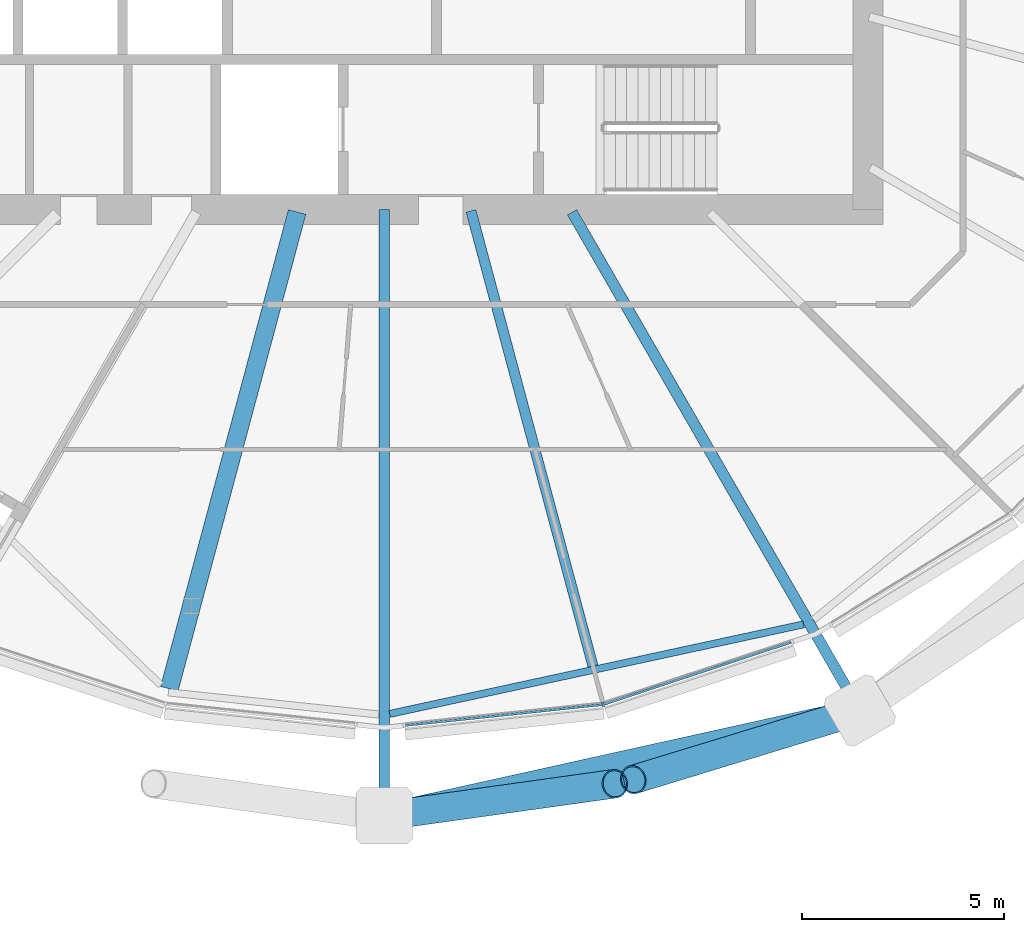
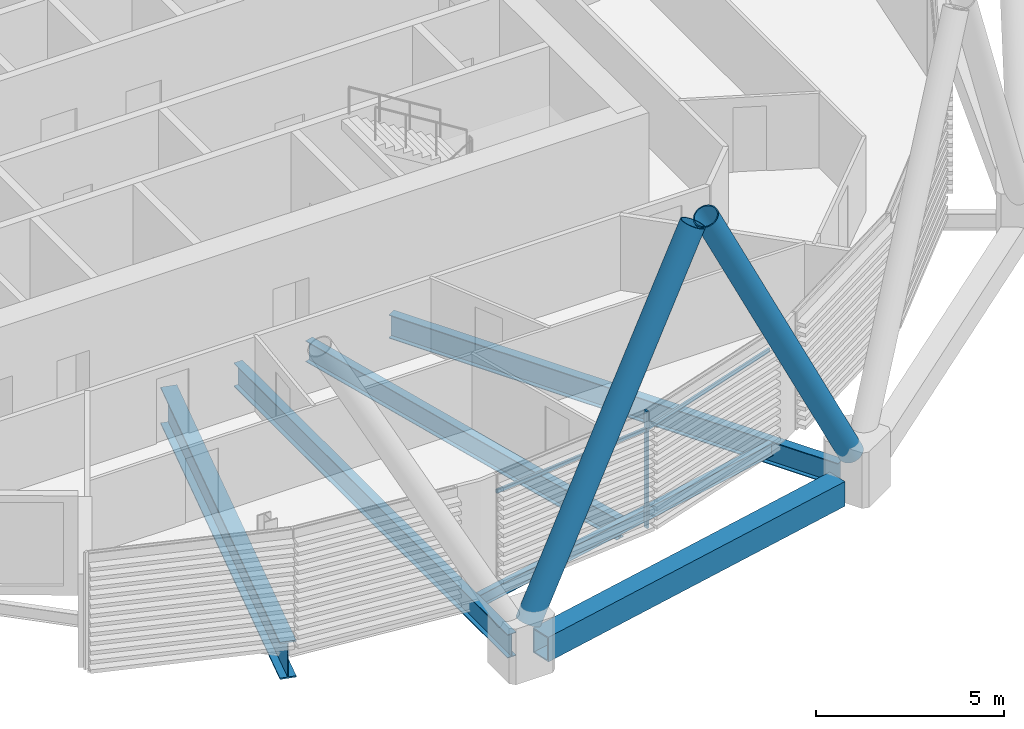
# One storey, part 4 of 38: 6 beams, 5 members, 1 element without a shape of its own.
"""IFC4 building model written with IfcOpenShell, lengths in metres."""

from ifc_helpers import new_model, si_unit, direction, frame, origin, origin_2d, place, context, subcontext, project, spatial, rectangle, hollow_rectangle, hollow_circle, i_section, extrude, material, material_profile, profile_set, type_object, element, aggregate, save


model = new_model("IFC4")

# Units and contexts
model_context = context("Model", 3, precision=1e-05, world=origin(), true_north=direction((0.0, 1.0)))
body_context = subcontext(model_context, "Body", "Model", "MODEL_VIEW")
ifc_project = project(units=[si_unit("LENGTHUNIT", "METRE"), si_unit("AREAUNIT", "SQUARE_METRE"), si_unit("VOLUMEUNIT", "CUBIC_METRE"), si_unit("PLANEANGLEUNIT", "RADIAN"), si_unit("MASSUNIT", "GRAM", prefix="KILO")], contexts=[model_context])

# Site, building, storey
site_placement = place(None, origin())
site = spatial("IfcSite", under=ifc_project, at=site_placement, CompositionType="ELEMENT")
building_placement = place(site_placement, origin())
building = spatial("IfcBuilding", under=site, at=building_placement, Name="Rimbun Link Towers", CompositionType="ELEMENT")
storey_placement = place(building_placement, frame((0.0, 0.0, 104.39990234375)))
storey = spatial("IfcBuildingStorey", under=building, at=storey_placement, Name="L25", CompositionType="ELEMENT", Elevation=104.39990234375)

# Curtain wall, members
ifc_material_1 = material(Name="Aluminium 6063-T6 and low-iron glass", Category="aluminium")
curtain_wall_type = type_object("IfcCurtainWallType", Name="CW1-Z2 unitised vision wall (zone 2)", PredefinedType="NOTDEFINED", material=ifc_material_1)
curtain_wall_placement = place(storey_placement, origin())
curtain_wall = element("IfcCurtainWall", 1, at=curtain_wall_placement, inside=storey, type_object=curtain_wall_type, Name="CW1 L25 T1", PredefinedType="NOTDEFINED")
ifc_material_2 = material(Name="Aluminium 6063-T6", Category="aluminium")
ifc_material_profile_1 = material_profile(ifc_material_2, rectangle(XDim=0.1201171875, YDim=0.06005859375, at=origin_2d()), Name="MULLION 60X120")
ifc_profile_set_1 = profile_set([ifc_material_profile_1], Name="Aluminium 6063-T6")
member_type_1 = type_object("IfcMemberType", Name="CW1 mullion 60X120", PredefinedType="MULLION", material=ifc_profile_set_1)
member_1_placement = place(storey_placement, frame((-26.320068359375, -20.276123046875, 0.0), z_axis=(0.0, 0.0, 1.0), x_axis=(0.210864978702, -0.9775151972, 0.0)))
member_1 = element("IfcMember", 2, at=member_1_placement, type_object=member_type_1, Name="CW1 mullion", PredefinedType="MULLION", context=body_context, shape_type="SweptSolid", body=[
    extrude(rectangle(XDim=0.1201171875, YDim=0.06005859375, at=origin_2d()), origin(), (0.0, 0.0, 1.0), 3.800048828125),
])
ifc_material_3 = material(Name="Aluminium 6063-T6", Category="aluminium")
ifc_material_profile_2 = material_profile(ifc_material_3, rectangle(XDim=0.06005859375, YDim=0.1201171875, at=origin_2d()), Name="TRANSOM 60X120")
ifc_profile_set_2 = profile_set([ifc_material_profile_2], Name="Aluminium 6063-T6")
member_type_2 = type_object("IfcMemberType", Name="CW1 transom 60X120", PredefinedType="USERDEFINED", material=ifc_profile_set_2)
member_2_placement = place(storey_placement, frame((-26.3564453125, -20.2783203125, 3.2001953125), z_axis=(-0.994498059885, -0.104754994554, 0.0), x_axis=(0.104754994554, -0.994498059885, 0.0)))
member_2 = element("IfcMember", 3, at=member_2_placement, type_object=member_type_2, Name="CW1 transom", ObjectType="TRANSOM", PredefinedType="USERDEFINED", context=body_context, shape_type="SweptSolid", body=[
    extrude(rectangle(XDim=0.06005859375, YDim=0.1201171875, at=origin_2d()), origin(), (0.0, 0.0, 1.0), 4.88720703125),
])
member_3_placement = place(storey_placement, frame((-21.661865234375, -18.730712890625, 3.2001953125), z_axis=(-0.949228164811, -0.314588447229, 0.0), x_axis=(0.314588447229, -0.949228164811, 0.0)))
member_3 = element("IfcMember", 4, at=member_3_placement, type_object=member_type_2, Name="CW1 transom", ObjectType="TRANSOM", PredefinedType="USERDEFINED", context=body_context, shape_type="SweptSolid", body=[
    extrude(rectangle(XDim=0.06005859375, YDim=0.1201171875, at=origin_2d()), origin(), (0.0, 0.0, 1.0), 4.871337890625),
])
aggregate(curtain_wall, [member_1, member_2, member_3])

# Members
ifc_material_4 = material(Name="Steel S460NH", Category="steel")
ifc_material_profile_3 = material_profile(ifc_material_4, hollow_circle(Radius=0.355712890625, WallThickness=0.031982421875, at=origin_2d()), Name="Diagrid diagonal CHS 711x32")
ifc_profile_set_3 = profile_set([ifc_material_profile_3], Name="Steel S460NH")
member_type_3 = type_object("IfcMemberType", Name="Diagrid diagonal CHS 711x32", PredefinedType="BRACE", material=ifc_profile_set_3)
member_4_placement = place(storey_placement, frame((-31.51904296875, -23.005859375, 0.4423828125), z_axis=(0.461751081055, 0.064494390575, 0.884661750461), x_axis=(-0.138330694416, 0.990386095915, 0.0)))
element("IfcMember", 5, at=member_4_placement, inside=storey, type_object=member_type_3, Name="Diagrid diagonal T1 L25-L28 18b", PredefinedType="BRACE", context=body_context, shape_type="SweptSolid", body=[
    extrude(hollow_circle(Radius=0.355712890625, WallThickness=0.031982421875, at=origin_2d()), origin(), (0.0, 0.0, 1.0), 11.88623046875),
])
member_5_placement = place(storey_placement, frame((-20.182861328125, -20.494873046875, 0.44091796875), z_axis=(-0.451752795257, -0.137708802358, 0.881450904889), x_axis=(0.291585641652, -0.956544726389, 0.0)))
element("IfcMember", 6, at=member_5_placement, inside=storey, type_object=member_type_3, Name="Diagrid diagonal T1 L25-L28 20a", PredefinedType="BRACE", context=body_context, shape_type="SweptSolid", body=[
    extrude(hollow_circle(Radius=0.355712890625, WallThickness=0.031982421875, at=origin_2d()), origin(), (0.0, 0.0, 1.0), 11.933349609375),
])

# Beams
ifc_material_5 = material(Name="Steel S355J2", Category="steel")
ifc_material_profile_4 = material_profile(ifc_material_5, hollow_rectangle(XDim=0.60009765625, YDim=0.800048828125, WallThickness=0.0400390625, at=origin_2d()), Name="Exoskeleton ring girder BOX 600x800x40")
ifc_profile_set_4 = profile_set([ifc_material_profile_4], Name="Steel S355J2")
beam_type_1 = type_object("IfcBeamType", Name="Exoskeleton ring girder BOX 600x800x40", PredefinedType="BEAM", material=ifc_profile_set_4)
beam_1_placement = place(storey_placement, frame((-31.066650390625, -22.88671875, -0.559814453125), z_axis=(0.976337980344, 0.216250198007, 0.0), x_axis=(-0.216250198007, 0.976337980344, 0.0)))
element("IfcBeam", 7, at=beam_1_placement, inside=storey, type_object=beam_type_1, Name="Exoskeleton ring girder L25 06", PredefinedType="BEAM", context=body_context, shape_type="SweptSolid", body=[
    extrude(hollow_rectangle(XDim=0.60009765625, YDim=0.800048828125, WallThickness=0.0400390625, at=origin_2d()), origin(), (0.0, 0.0, 1.0), 10.678955078125),
])
ifc_material_6 = material(Name="Steel S355J2", Category="steel")
ifc_material_profile_5 = material_profile(ifc_material_6, i_section(OverallWidth=0.449951171875, OverallDepth=1.199951171875, WebThickness=0.030029296875, FlangeThickness=0.044921875, at=origin_2d()), Name="PG 1200x450x30/45")
ifc_profile_set_5 = profile_set([ifc_material_profile_5], Name="Steel S355J2")
beam_type_2 = type_object("IfcBeamType", Name="PG 1200x450x30/45", PredefinedType="BEAM", material=ifc_profile_set_5)
beam_2_placement = place(storey_placement, frame((-33.909423828125, -8.05908203125, -0.760009765625), z_axis=(-0.258815492751, -0.965926778132, 0.0), x_axis=(0.965926778132, -0.258815492751, 0.0)))
element("IfcBeam", 8, at=beam_2_placement, inside=storey, type_object=beam_type_2, Name="Radial beam T1 L25 17", PredefinedType="BEAM", context=body_context, shape_type="SweptSolid", body=[
    extrude(i_section(OverallWidth=0.449951171875, OverallDepth=1.199951171875, WebThickness=0.030029296875, FlangeThickness=0.044921875, at=origin_2d()), origin(), (0.0, 0.0, 1.0), 12.2431640625),
])
ifc_material_7 = material(Name="Steel S355J2", Category="steel")
ifc_material_profile_6 = material_profile(ifc_material_7, i_section(OverallWidth=0.177978515625, OverallDepth=0.406494140625, WebThickness=0.0078125, FlangeThickness=0.0126953125, at=origin_2d()), Name="UB 406x178x60")
ifc_profile_set_6 = profile_set([ifc_material_profile_6], Name="Steel S355J2")
beam_type_3 = type_object("IfcBeamType", Name="UB 406x178x60", PredefinedType="BEAM", material=ifc_profile_set_6)
beam_3_placement = place(storey_placement, frame((-31.61572265625, -20.507568359375, -0.363037109375), z_axis=(0.977394181999, 0.211425194794, 0.0), x_axis=(-0.211425194794, 0.977394181999, 0.0)))
element("IfcBeam", 9, at=beam_3_placement, inside=storey, type_object=beam_type_3, Name="Edge beam T1 L25 18-20", PredefinedType="BEAM", context=body_context, shape_type="SweptSolid", body=[
    extrude(i_section(OverallWidth=0.177978515625, OverallDepth=0.406494140625, WebThickness=0.0078125, FlangeThickness=0.0126953125, at=origin_2d()), origin(), (0.0, 0.0, 1.0), 10.505859375),
])
ifc_material_8 = material(Name="Steel S355J2", Category="steel")
ifc_material_profile_7 = material_profile(ifc_material_8, i_section(OverallWidth=0.253662109375, OverallDepth=0.68359375, WebThickness=0.012451171875, FlangeThickness=0.01904296875, at=origin_2d()), Name="UB 686x254x140")
ifc_profile_set_7 = profile_set([ifc_material_profile_7], Name="Steel S355J2")
beam_type_4 = type_object("IfcBeamType", Name="UB 686x254x140", PredefinedType="BEAM", material=ifc_profile_set_7)
beam_4_placement = place(storey_placement, frame((-29.597412109375, -8.03369140625, -0.501708984375), z_axis=(0.258822040224, -0.965925023744, 0.0), x_axis=(0.965925023744, 0.258822040224, 0.0)))
element("IfcBeam", 10, at=beam_4_placement, inside=storey, type_object=beam_type_4, Name="Radial beam T1 L25 19", PredefinedType="BEAM", context=body_context, shape_type="SweptSolid", body=[
    extrude(i_section(OverallWidth=0.253662109375, OverallDepth=0.68359375, WebThickness=0.012451171875, FlangeThickness=0.01904296875, at=origin_2d()), origin(), (0.0, 0.0, 1.0), 11.68896484375),
])
ifc_material_9 = material(Name="Steel S355J2", Category="steel")
ifc_material_profile_8 = material_profile(ifc_material_9, i_section(OverallWidth=0.2666015625, OverallDepth=0.76220703125, WebThickness=0.014404296875, FlangeThickness=0.021484375, at=origin_2d()), Name="UB 762x267x173")
ifc_profile_set_8 = profile_set([ifc_material_profile_8], Name="Steel S355J2")
beam_type_5 = type_object("IfcBeamType", Name="UB 762x267x173", PredefinedType="BEAM", material=ifc_profile_set_8)
beam_5_placement = place(storey_placement, frame((-31.75, -8.0009765625, -0.541015625), z_axis=(0.0, -1.0, 0.0), x_axis=(1.0, 0.0, 0.0)))
element("IfcBeam", 11, at=beam_5_placement, inside=storey, type_object=beam_type_5, Name="Radial beam T1 L25 18", PredefinedType="BEAM", context=body_context, shape_type="SweptSolid", body=[
    extrude(i_section(OverallWidth=0.2666015625, OverallDepth=0.76220703125, WebThickness=0.014404296875, FlangeThickness=0.021484375, at=origin_2d()), origin(), (0.0, 0.0, 1.0), 14.537109375),
])
beam_6_placement = place(storey_placement, frame((-27.09228515625, -8.0673828125, -0.541015625), z_axis=(0.500002279114, -0.866024087933, 0.0), x_axis=(0.866024087933, 0.500002279114, 0.0)))
element("IfcBeam", 12, at=beam_6_placement, inside=storey, type_object=beam_type_5, Name="Radial beam T1 L25 20", PredefinedType="BEAM", context=body_context, shape_type="SweptSolid", body=[
    extrude(i_section(OverallWidth=0.2666015625, OverallDepth=0.76220703125, WebThickness=0.014404296875, FlangeThickness=0.021484375, at=origin_2d()), origin(), (0.0, 0.0, 1.0), 13.7705078125),
])

save(model, "model.ifc")
